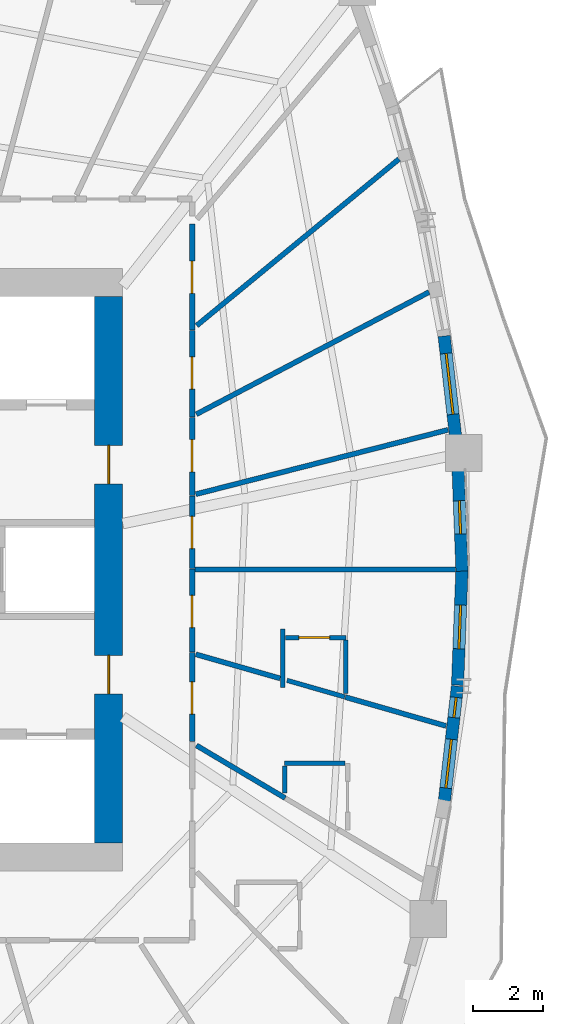
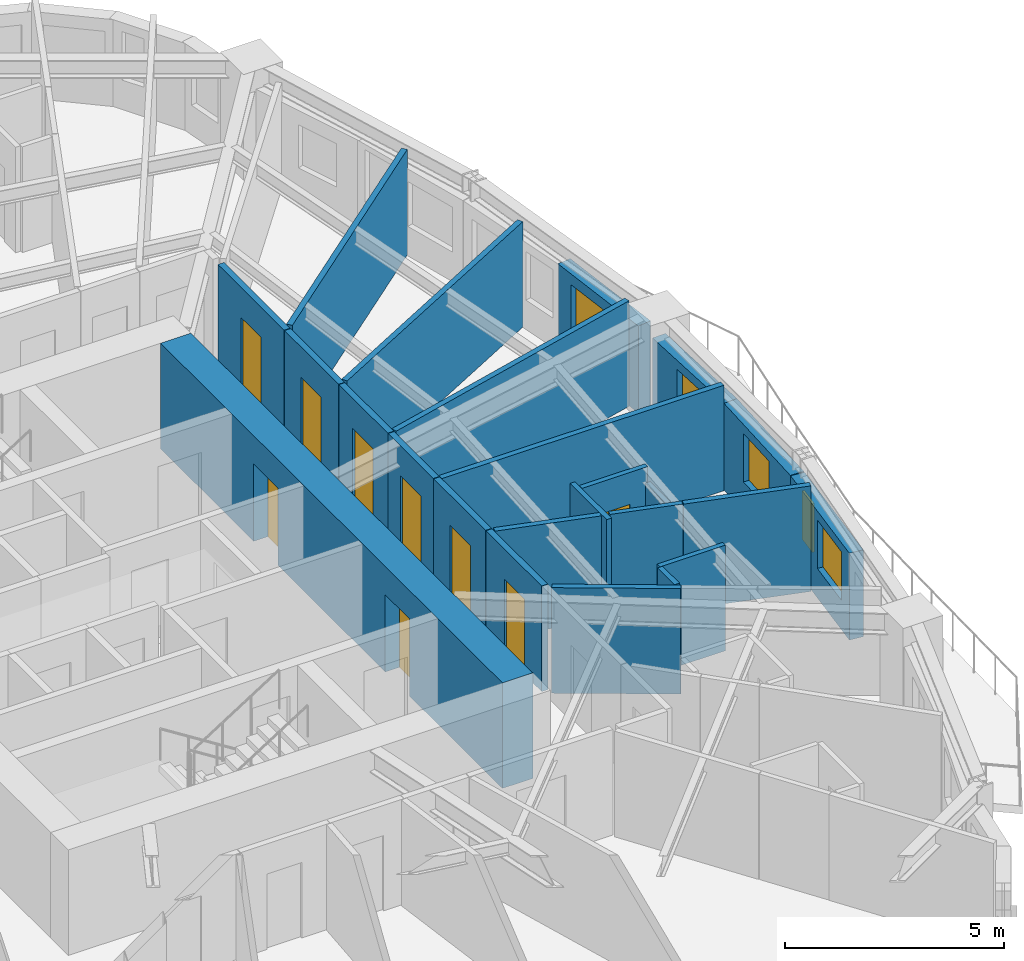
# One storey, part 7 of 14: 24 walls, 9 doors, 5 windows, 14 openings.
"""IFC4 building model written with IfcOpenShell, lengths in metres."""

from ifc_helpers import new_model, si_unit, direction, frame, frame_2d, origin, place, context, subcontext, project, spatial, rectangle, extrude, source, transform, mapped, material, layer, layer_set, type_object, element, fill, save


model = new_model("IFC4")

# Units and contexts
model_context = context("Model", 3, precision=1e-05, world=origin(), true_north=direction((0.0, 1.0)))
body_context = subcontext(model_context, "Body", "Model", "MODEL_VIEW")
ifc_project = project(units=[si_unit("LENGTHUNIT", "METRE"), si_unit("AREAUNIT", "SQUARE_METRE"), si_unit("VOLUMEUNIT", "CUBIC_METRE"), si_unit("PLANEANGLEUNIT", "RADIAN"), si_unit("MASSUNIT", "GRAM", prefix="KILO")], contexts=[model_context])

# Site, building, storey
site_placement = place(None, origin())
site = spatial("IfcSite", under=ifc_project, at=site_placement, CompositionType="ELEMENT")
building_placement = place(site_placement, origin())
building = spatial("IfcBuilding", under=site, at=building_placement, Name="Qafzar Sky-Pleat Residences", CompositionType="ELEMENT")
storey_placement = place(building_placement, frame((0.0, 0.0, 11.0)))
storey = spatial("IfcBuildingStorey", under=building, at=storey_placement, Name="L02", CompositionType="ELEMENT", Elevation=11.0)

# Wall, opening, door
ifc_material_1 = material(Name="Acoustic gypsum plasterboard partition", Category="gypsum")
ifc_layer_1 = layer(ifc_material_1, 0.159912109375)
ifc_layer_set_1 = layer_set([ifc_layer_1], Name="Acoustic gypsum plasterboard partition")
wall_type_1 = type_object("IfcWallType", Name="PART-COR-160", PredefinedType="PARTITIONING", material=ifc_layer_set_1)
wall_1_placement = place(storey_placement, frame((38.679931640625, 35.862060546875, 0.0), z_axis=(0.0, 0.0, 1.0), x_axis=(0.0, -1.0, 0.0)))
wall_1 = element("IfcWall", 1, at=wall_1_placement, inside=storey, type_object=wall_type_1, Name="L02 Partition Wall PART-L02-PW-007", PredefinedType="PARTITIONING", context=body_context, shape_type="SweptSolid", body=[
    extrude(rectangle(XDim=3.024169921875, YDim=0.159912109375, at=frame_2d((1.51220703125, 0.0))), origin(), (0.0, 0.0, 1.0), 2.93994140625),
])
opening_1_placement = place(wall_1_placement, frame((1.053466796875, 0.0, 0.0)))
opening_1 = element("IfcOpeningElement", 2, at=opening_1_placement, cuts=wall_1, Name="Opening ID-04", PredefinedType="OPENING", context=body_context, shape_type="SweptSolid", body=[
    extrude(rectangle(XDim=0.919921875, YDim=2.10009765625, at=frame_2d((0.4599609375, 1.050048828125))), frame((0.0, 0.08984375, 0.0), z_axis=(0.0, -1.0, 0.0), x_axis=(1.0, 0.0, 0.0)), (0.0, 0.0, 1.0), 0.179931640625),
])
ifc_material_2 = material(Name="Timber-faced fire door", Category="wood")
door_type_1 = type_object("IfcDoorType", Name="DR-BED-920", OperationType="NOTDEFINED", PredefinedType="DOOR", material=ifc_material_2)
shared_shape_1 = source(origin(), body_context, "Body", "SweptSolid", [
    extrude(rectangle(XDim=0.919921875, YDim=2.10009765625, at=frame_2d((0.4599609375, 1.050048828125))), frame((0.0, 0.02490234375, 0.0), z_axis=(0.0, -1.0, 0.0), x_axis=(1.0, 0.0, 0.0)), (0.0, 0.0, 1.0), 0.050048828125),
])
door_1_placement = place(opening_1_placement, origin())
door_1 = element("IfcDoor", 3, at=door_1_placement, inside=storey, type_object=door_type_1, Name="L02 Co-Living Bedroom 3 Door", OperationType="SINGLE_SWING_LEFT", OverallHeight=2.10009765625, OverallWidth=0.919921875, PredefinedType="DOOR", context=body_context, shape_type="MappedRepresentation", body=[
    mapped(shared_shape_1, transform((0.0, 0.0, 0.0), x_axis=(1.0, 0.0, 0.0), y_axis=(0.0, 1.0, 0.0), z_axis=(0.0, 0.0, 1.0), scale=1.0)),
])
fill(opening_1, door_1)

wall_2_placement = place(storey_placement, frame((38.679931640625, 23.6298828125, 0.0), z_axis=(0.0, 0.0, 1.0), x_axis=(0.0, -1.0, 0.0)))
wall_2 = element("IfcWall", 4, at=wall_2_placement, inside=storey, type_object=wall_type_1, Name="L02 Partition Wall PART-L02-PW-012", PredefinedType="PARTITIONING", context=body_context, shape_type="SweptSolid", body=[
    extrude(rectangle(XDim=2.5419921875, YDim=0.159912109375, at=frame_2d((1.27099609375, 0.0))), origin(), (0.0, 0.0, 1.0), 2.93994140625),
])
opening_2_placement = place(wall_2_placement, frame((0.83544921875, 0.0, 0.0)))
opening_2 = element("IfcOpeningElement", 5, at=opening_2_placement, cuts=wall_2, Name="Opening ID-04", PredefinedType="OPENING", context=body_context, shape_type="SweptSolid", body=[
    extrude(rectangle(XDim=0.919921875, YDim=2.10009765625, at=frame_2d((0.4599609375, 1.050048828125))), frame((0.0, 0.08984375, 0.0), z_axis=(0.0, -1.0, 0.0), x_axis=(1.0, 0.0, 0.0)), (0.0, 0.0, 1.0), 0.179931640625),
])
door_2_placement = place(opening_2_placement, origin())
door_2 = element("IfcDoor", 6, at=door_2_placement, inside=storey, type_object=door_type_1, Name="L02 Co-Living Bedroom 19 Door", OperationType="SINGLE_SWING_RIGHT", OverallHeight=2.10009765625, OverallWidth=0.919921875, PredefinedType="DOOR", context=body_context, shape_type="MappedRepresentation", body=[
    mapped(shared_shape_1, transform((0.0, 0.0, 0.0), x_axis=(1.0, 0.0, 0.0), y_axis=(0.0, 1.0, 0.0), z_axis=(0.0, 0.0, 1.0), scale=1.0)),
])
fill(opening_2, door_2)

wall_3_placement = place(storey_placement, frame((38.679931640625, 32.822998046875, 0.0), z_axis=(0.0, 0.0, 1.0), x_axis=(0.0, -1.0, 0.0)))
wall_3 = element("IfcWall", 7, at=wall_3_placement, inside=storey, type_object=wall_type_1, Name="L02 Partition Wall PART-L02-PW-013", PredefinedType="PARTITIONING", context=body_context, shape_type="SweptSolid", body=[
    extrude(rectangle(XDim=2.468017578125, YDim=0.159912109375, at=frame_2d((1.23388671875, 0.0))), origin(), (0.0, 0.0, 1.0), 2.93994140625),
])
opening_3_placement = place(wall_3_placement, frame((0.748046875, 0.0, 0.0)))
opening_3 = element("IfcOpeningElement", 8, at=opening_3_placement, cuts=wall_3, Name="Opening ID-04", PredefinedType="OPENING", context=body_context, shape_type="SweptSolid", body=[
    extrude(rectangle(XDim=0.919921875, YDim=2.10009765625, at=frame_2d((0.4599609375, 1.050048828125))), frame((0.0, 0.08984375, 0.0), z_axis=(0.0, -1.0, 0.0), x_axis=(1.0, 0.0, 0.0)), (0.0, 0.0, 1.0), 0.179931640625),
])
door_3_placement = place(opening_3_placement, origin())
door_3 = element("IfcDoor", 9, at=door_3_placement, inside=storey, type_object=door_type_1, Name="L02 Co-Living Bedroom 4 Door", OperationType="SINGLE_SWING_LEFT", OverallHeight=2.10009765625, OverallWidth=0.919921875, PredefinedType="DOOR", context=body_context, shape_type="MappedRepresentation", body=[
    mapped(shared_shape_1, transform((0.0, 0.0, 0.0), x_axis=(1.0, 0.0, 0.0), y_axis=(0.0, 1.0, 0.0), z_axis=(0.0, 0.0, 1.0), scale=1.0)),
])
fill(opening_3, door_3)

wall_4_placement = place(storey_placement, frame((38.679931640625, 26.014892578125, 0.0), z_axis=(0.0, 0.0, 1.0), x_axis=(0.0, -1.0, 0.0)))
wall_4 = element("IfcWall", 10, at=wall_4_placement, inside=storey, type_object=wall_type_1, Name="L02 Partition Wall PART-L02-PW-015", PredefinedType="PARTITIONING", context=body_context, shape_type="SweptSolid", body=[
    extrude(rectangle(XDim=2.369873046875, YDim=0.159912109375, at=frame_2d((1.18505859375, 0.0))), origin(), (0.0, 0.0, 1.0), 2.93994140625),
])
opening_4_placement = place(wall_4_placement, frame((0.748046875, 0.0, 0.0)))
opening_4 = element("IfcOpeningElement", 11, at=opening_4_placement, cuts=wall_4, Name="Opening ID-04", PredefinedType="OPENING", context=body_context, shape_type="SweptSolid", body=[
    extrude(rectangle(XDim=0.919921875, YDim=2.10009765625, at=frame_2d((0.4599609375, 1.050048828125))), frame((0.0, 0.08984375, 0.0), z_axis=(0.0, -1.0, 0.0), x_axis=(1.0, 0.0, 0.0)), (0.0, 0.0, 1.0), 0.179931640625),
])
door_4_placement = place(opening_4_placement, origin())
door_4 = element("IfcDoor", 12, at=door_4_placement, inside=storey, type_object=door_type_1, Name="L02 Co-Living Bedroom 20 Door", OperationType="SINGLE_SWING_LEFT", OverallHeight=2.10009765625, OverallWidth=0.919921875, PredefinedType="DOOR", context=body_context, shape_type="MappedRepresentation", body=[
    mapped(shared_shape_1, transform((0.0, 0.0, 0.0), x_axis=(1.0, 0.0, 0.0), y_axis=(0.0, 1.0, 0.0), z_axis=(0.0, 0.0, 1.0), scale=1.0)),
])
fill(opening_4, door_4)

wall_5_placement = place(storey_placement, frame((38.679931640625, 30.340087890625, 0.0), z_axis=(0.0, 0.0, 1.0), x_axis=(0.0, -1.0, 0.0)))
wall_5 = element("IfcWall", 13, at=wall_5_placement, inside=storey, type_object=wall_type_1, Name="L02 Partition Wall PART-L02-PW-019", PredefinedType="PARTITIONING", context=body_context, shape_type="SweptSolid", body=[
    extrude(rectangle(XDim=2.22998046875, YDim=0.159912109375, at=frame_2d((1.114990234375, 0.0))), origin(), (0.0, 0.0, 1.0), 2.93994140625),
])
opening_5_placement = place(wall_5_placement, frame((0.631591796875, 0.0, 0.0)))
opening_5 = element("IfcOpeningElement", 14, at=opening_5_placement, cuts=wall_5, Name="Opening ID-04", PredefinedType="OPENING", context=body_context, shape_type="SweptSolid", body=[
    extrude(rectangle(XDim=0.919921875, YDim=2.10009765625, at=frame_2d((0.4599609375, 1.050048828125))), frame((0.0, 0.08984375, 0.0), z_axis=(0.0, -1.0, 0.0), x_axis=(1.0, 0.0, 0.0)), (0.0, 0.0, 1.0), 0.179931640625),
])
door_5_placement = place(opening_5_placement, origin())
door_5 = element("IfcDoor", 15, at=door_5_placement, inside=storey, type_object=door_type_1, Name="L02 Co-Living Bedroom 1 Door", OperationType="SINGLE_SWING_RIGHT", OverallHeight=2.10009765625, OverallWidth=0.919921875, PredefinedType="DOOR", context=body_context, shape_type="MappedRepresentation", body=[
    mapped(shared_shape_1, transform((0.0, 0.0, 0.0), x_axis=(1.0, 0.0, 0.0), y_axis=(0.0, 1.0, 0.0), z_axis=(0.0, 0.0, 1.0), scale=1.0)),
])
fill(opening_5, door_5)

wall_6_placement = place(storey_placement, frame((38.679931640625, 28.094970703125, 0.0), z_axis=(0.0, 0.0, 1.0), x_axis=(0.0, -1.0, 0.0)))
wall_6 = element("IfcWall", 16, at=wall_6_placement, inside=storey, type_object=wall_type_1, Name="L02 Partition Wall PART-L02-PW-021", PredefinedType="PARTITIONING", context=body_context, shape_type="SweptSolid", body=[
    extrude(rectangle(XDim=2.06494140625, YDim=0.159912109375, at=frame_2d((1.032470703125, 0.0))), origin(), (0.0, 0.0, 1.0), 2.93994140625),
])
opening_6_placement = place(wall_6_placement, frame((0.572509765625, 0.0, 0.0)))
opening_6 = element("IfcOpeningElement", 17, at=opening_6_placement, cuts=wall_6, Name="Opening ID-04", PredefinedType="OPENING", context=body_context, shape_type="SweptSolid", body=[
    extrude(rectangle(XDim=0.919921875, YDim=2.10009765625, at=frame_2d((0.4599609375, 1.050048828125))), frame((0.0, 0.08984375, 0.0), z_axis=(0.0, -1.0, 0.0), x_axis=(1.0, 0.0, 0.0)), (0.0, 0.0, 1.0), 0.179931640625),
])
door_6_placement = place(opening_6_placement, origin())
door_6 = element("IfcDoor", 18, at=door_6_placement, inside=storey, type_object=door_type_1, Name="L02 Co-Living Bedroom 2 Door", OperationType="SINGLE_SWING_RIGHT", OverallHeight=2.10009765625, OverallWidth=0.919921875, PredefinedType="DOOR", context=body_context, shape_type="MappedRepresentation", body=[
    mapped(shared_shape_1, transform((0.0, 0.0, 0.0), x_axis=(1.0, 0.0, 0.0), y_axis=(0.0, 1.0, 0.0), z_axis=(0.0, 0.0, 1.0), scale=1.0)),
])
fill(opening_6, door_6)

# Walls
ifc_layer_2 = layer(ifc_material_1, 0.14501953125)
ifc_layer_set_2 = layer_set([ifc_layer_2], Name="Acoustic gypsum plasterboard partition")
wall_type_2 = type_object("IfcWallType", Name="PART-UNIT-145", PredefinedType="PARTITIONING", material=ifc_layer_set_2)
wall_7_placement = place(storey_placement, frame((38.812255859375, 32.966796875, 0.0), z_axis=(0.0, 0.0, 1.0), x_axis=(0.772048037558, 0.635564180633, 0.0)))
element("IfcWall", 19, at=wall_7_placement, inside=storey, type_object=wall_type_2, Name="L02 Partition Wall PART-L02-PW-048", PredefinedType="PARTITIONING", context=body_context, shape_type="SweptSolid", body=[
    extrude(rectangle(XDim=7.47705078125, YDim=0.14501953125, at=frame_2d((3.738525390625, 0.0))), origin(), (0.0, 0.0, 1.0), 2.93994140625),
])
wall_8_placement = place(storey_placement, frame((38.80078125, 30.435302734375, 0.0), z_axis=(0.0, 0.0, 1.0), x_axis=(0.885428701358, 0.46477523042, 0.0)))
element("IfcWall", 20, at=wall_8_placement, inside=storey, type_object=wall_type_2, Name="L02 Partition Wall PART-L02-PW-049", PredefinedType="PARTITIONING", context=body_context, shape_type="SweptSolid", body=[
    extrude(rectangle(XDim=7.503173828125, YDim=0.14501953125, at=frame_2d((3.75146484375, 0.0))), origin(), (0.0, 0.0, 1.0), 2.93994140625),
])
wall_9_placement = place(storey_placement, frame((38.78564453125, 28.152099609375, 0.0), z_axis=(0.0, 0.0, 1.0), x_axis=(0.968940490632, 0.247294006424, 0.0)))
element("IfcWall", 21, at=wall_9_placement, inside=storey, type_object=wall_type_2, Name="L02 Partition Wall PART-L02-PW-050", PredefinedType="PARTITIONING", context=body_context, shape_type="SweptSolid", body=[
    extrude(rectangle(XDim=7.431884765625, YDim=0.14501953125, at=frame_2d((3.7158203125, 0.0))), origin(), (0.0, 0.0, 1.0), 2.93994140625),
])
wall_10_placement = place(storey_placement, frame((38.76806640625, 26.0, 0.0), z_axis=(0.0, 0.0, 1.0), x_axis=(1.0, 0.0, 0.0)))
element("IfcWall", 22, at=wall_10_placement, inside=storey, type_object=wall_type_2, Name="L02 Partition Wall PART-L02-PW-051", PredefinedType="PARTITIONING", context=body_context, shape_type="SweptSolid", body=[
    extrude(rectangle(XDim=7.43017578125, YDim=0.14501953125, at=frame_2d((3.715087890625, 0.0))), origin(), (0.0, 0.0, 1.0), 2.93994140625),
])
wall_11_placement = place(storey_placement, frame((38.803955078125, 20.9814453125, 0.0), z_axis=(0.0, 0.0, 1.0), x_axis=(0.859905944731, -0.510452511225, 0.0)))
element("IfcWall", 23, at=wall_11_placement, inside=storey, type_object=wall_type_2, Name="L02 Partition Wall PART-L02-PW-067", PredefinedType="PARTITIONING", context=body_context, shape_type="SweptSolid", body=[
    extrude(rectangle(XDim=2.943359375, YDim=0.14501953125, at=frame_2d((1.4716796875, 0.0))), origin(), (0.0, 0.0, 1.0), 2.93994140625),
])
wall_12_placement = place(storey_placement, frame((43.054931640625, 22.361083984375, 0.0), z_axis=(0.0, 0.0, 1.0), x_axis=(0.961351316588, -0.275324619486, 0.0)))
element("IfcWall", 24, at=wall_12_placement, inside=storey, type_object=wall_type_2, Name="L02 Partition Wall PART-L02-PW-068", PredefinedType="PARTITIONING", context=body_context, shape_type="SweptSolid", body=[
    extrude(rectangle(XDim=2.991943359375, YDim=0.14501953125, at=frame_2d((1.49609375, 0.0))), origin(), (0.0, 0.0, 1.0), 2.93994140625),
])
wall_13_placement = place(storey_placement, frame((38.78759765625, 23.583251953125, 0.0), z_axis=(0.0, 0.0, 1.0), x_axis=(0.961350656565, -0.275326924078, 0.0)))
element("IfcWall", 25, at=wall_13_placement, inside=storey, type_object=wall_type_2, Name="L02 Partition Wall PART-L02-PW-073", PredefinedType="PARTITIONING", context=body_context, shape_type="SweptSolid", body=[
    extrude(rectangle(XDim=2.50146484375, YDim=0.14501953125, at=frame_2d((1.250732421875, 0.0))), origin(), (0.0, 0.0, 1.0), 2.93994140625),
])

# Wall, opening, door
ifc_material_3 = material(Name="Moisture-resistant gypsum partition", Category="gypsum")
ifc_layer_3 = layer(ifc_material_3, 0.1298828125)
ifc_layer_set_3 = layer_set([ifc_layer_3], Name="Moisture-resistant gypsum partition")
wall_type_3 = type_object("IfcWallType", Name="PART-WET-130", PredefinedType="PARTITIONING", material=ifc_layer_set_3)
wall_14_placement = place(storey_placement, frame((43.070068359375, 24.06005859375, 0.0), z_axis=(0.0, 0.0, 1.0), x_axis=(-1.0, 0.0, 0.0)))
wall_14 = element("IfcWall", 26, at=wall_14_placement, inside=storey, type_object=wall_type_3, Name="L02 Partition Wall PART-L02-PW-035", PredefinedType="PARTITIONING", context=body_context, shape_type="SweptSolid", body=[
    extrude(rectangle(XDim=1.72705078125, YDim=0.1298828125, at=frame_2d((0.863525390625, 0.0))), origin(), (0.0, 0.0, 1.0), 2.93994140625),
])
opening_7_placement = place(wall_14_placement, frame((0.4599609375, 0.0, 0.0)))
opening_7 = element("IfcOpeningElement", 27, at=opening_7_placement, cuts=wall_14, Name="Opening ID-07", PredefinedType="OPENING", context=body_context, shape_type="SweptSolid", body=[
    extrude(rectangle(XDim=0.8798828125, YDim=2.050048828125, at=frame_2d((0.43994140625, 1.02490234375))), frame((0.0, 0.074951171875, 0.0), z_axis=(0.0, -1.0, 0.0), x_axis=(1.0, 0.0, 0.0)), (0.0, 0.0, 1.0), 0.14990234375),
])
door_type_2 = type_object("IfcDoorType", Name="DR-WET-880", OperationType="NOTDEFINED", PredefinedType="DOOR", material=ifc_material_2)
shared_shape_2 = source(origin(), body_context, "Body", "SweptSolid", [
    extrude(rectangle(XDim=0.8798828125, YDim=2.050048828125, at=frame_2d((0.43994140625, 1.02490234375))), frame((0.0, 0.02490234375, 0.0), z_axis=(0.0, -1.0, 0.0), x_axis=(1.0, 0.0, 0.0)), (0.0, 0.0, 1.0), 0.050048828125),
])
door_7_placement = place(opening_7_placement, origin())
door_7 = element("IfcDoor", 28, at=door_7_placement, inside=storey, type_object=door_type_2, Name="L02 En-suite Bathroom 20 Door", OperationType="SINGLE_SWING_RIGHT", OverallHeight=2.050048828125, OverallWidth=0.8798828125, PredefinedType="DOOR", context=body_context, shape_type="MappedRepresentation", body=[
    mapped(shared_shape_2, transform((0.0, 0.0, 0.0), x_axis=(1.0, 0.0, 0.0), y_axis=(0.0, 1.0, 0.0), z_axis=(0.0, 0.0, 1.0), scale=1.0)),
])
fill(opening_7, door_7)

# Walls
wall_15_placement = place(storey_placement, frame((41.39013671875, 22.83837890625, 0.0), z_axis=(0.0, 0.0, 1.0), x_axis=(0.961362810051, -0.275284484582, 0.0)))
element("IfcWall", 29, at=wall_15_placement, inside=storey, type_object=wall_type_3, Name="L02 Partition Wall PART-L02-PW-079", PredefinedType="PARTITIONING", context=body_context, shape_type="SweptSolid", body=[
    extrude(rectangle(XDim=1.717041015625, YDim=0.1298828125, at=frame_2d((0.8583984375, 0.0))), origin(), (0.0, 0.0, 1.0), 2.93994140625),
])
wall_16_placement = place(storey_placement, frame((41.320068359375, 20.466064453125, 0.0), z_axis=(0.0, 0.0, 1.0), x_axis=(1.0, 0.0, 0.0)))
element("IfcWall", 30, at=wall_16_placement, inside=storey, type_object=wall_type_3, Name="L02 Partition Wall PART-L02-PW-090", PredefinedType="PARTITIONING", context=body_context, shape_type="SweptSolid", body=[
    extrude(rectangle(XDim=1.72705078125, YDim=0.1298828125, at=frame_2d((0.863525390625, 0.0))), origin(), (0.0, 0.0, 1.0), 2.93994140625),
])
wall_17_placement = place(storey_placement, frame((43.070068359375, 22.458984375, 0.0), z_axis=(0.0, 0.0, 1.0), x_axis=(0.0, 1.0, 0.0)))
element("IfcWall", 31, at=wall_17_placement, inside=storey, type_object=wall_type_3, Name="L02 Partition Wall PART-L02-PW-094", PredefinedType="PARTITIONING", context=body_context, shape_type="SweptSolid", body=[
    extrude(rectangle(XDim=1.528076171875, YDim=0.1298828125, at=frame_2d((0.76416015625, 0.0))), origin(), (0.0, 0.0, 1.0), 2.508056640625),
])
wall_18_placement = place(storey_placement, frame((41.27001953125, 22.633056640625, 0.0), z_axis=(0.0, 0.0, 1.0), x_axis=(0.0, 1.0, 0.0)))
element("IfcWall", 32, at=wall_18_placement, inside=storey, type_object=wall_type_3, Name="L02 Partition Wall PART-L02-PW-102", PredefinedType="PARTITIONING", context=body_context, shape_type="SweptSolid", body=[
    extrude(rectangle(XDim=1.6669921875, YDim=0.1298828125, at=frame_2d((0.83349609375, 0.0))), origin(), (0.0, 0.0, 1.0), 2.93994140625),
])
wall_19_placement = place(storey_placement, frame((41.320068359375, 19.618896484375, 0.0), z_axis=(0.0, 0.0, 1.0), x_axis=(0.0, 1.0, 0.0)))
element("IfcWall", 33, at=wall_19_placement, inside=storey, type_object=wall_type_3, Name="L02 Partition Wall PART-L02-PW-108", PredefinedType="PARTITIONING", context=body_context, shape_type="SweptSolid", body=[
    extrude(rectangle(XDim=0.774169921875, YDim=0.1298828125, at=frame_2d((0.38720703125, 0.0))), origin(), (0.0, 0.0, 1.0), 2.93994140625),
])

# Wall, openings, windows
ifc_material_4 = material(Name="Precast concrete C40/50 with honed Riyadh limestone", Category="concrete")
ifc_layer_4 = layer(ifc_material_4, 0.35009765625)
ifc_layer_set_4 = layer_set([ifc_layer_4], Name="Precast concrete C40/50 with honed Riyadh limestone")
wall_type_4 = type_object("IfcWallType", Name="WALL-EXT-350", PredefinedType="SOLIDWALL", material=ifc_layer_set_4)
wall_20_placement = place(storey_placement, frame((45.87548828125, 19.3310546875, 0.0), z_axis=(0.0, 0.0, 1.0), x_axis=(0.113329685842, 0.99355743785, 0.0)))
wall_20 = element("IfcWall", 34, at=wall_20_placement, inside=storey, type_object=wall_type_4, Name="L02 Limestone Facade Wall 26", PredefinedType="SOLIDWALL", context=body_context, shape_type="SweptSolid", body=[
    extrude(rectangle(XDim=3.364990234375, YDim=0.35009765625, at=frame_2d((1.6826171875, 0.0))), origin(), (0.0, 0.0, 1.0), 2.419921875),
])
opening_8_placement = place(wall_20_placement, frame((0.436767578125, 0.0, 0.820068359375)))
opening_8 = element("IfcOpeningElement", 35, at=opening_8_placement, cuts=wall_20, Name="Opening WN-10", PredefinedType="OPENING", context=body_context, shape_type="SweptSolid", body=[
    extrude(rectangle(XDim=1.39990234375, YDim=1.35009765625, at=frame_2d((0.699951171875, 0.675048828125))), frame((0.0, 0.18505859375, 0.0), z_axis=(0.0, -1.0, 0.0), x_axis=(1.0, 0.0, 0.0)), (0.0, 0.0, 1.0), 0.3701171875),
])
opening_9_placement = place(wall_20_placement, frame((2.45947265625, 0.0, 0.820068359375)))
opening_9 = element("IfcOpeningElement", 36, at=opening_9_placement, cuts=wall_20, Name="Opening WN-17", PredefinedType="OPENING", context=body_context, shape_type="SweptSolid", body=[
    extrude(rectangle(XDim=0.580078125, YDim=1.35009765625, at=frame_2d((0.2900390625, 0.675048828125))), frame((0.0, 0.18505859375, 0.0), z_axis=(0.0, -1.0, 0.0), x_axis=(1.0, 0.0, 0.0)), (0.0, 0.0, 1.0), 0.3701171875),
])
ifc_material_5 = material(Name="Solar-control low-E glass in bronze aluminium frame", Category="glass")
window_type_1 = type_object("IfcWindowType", Name="WIN-17", PartitioningType="SINGLE_PANEL", PredefinedType="WINDOW", material=ifc_material_5)
shared_shape_3 = source(origin(), body_context, "Body", "SweptSolid", [
    extrude(rectangle(XDim=0.580078125, YDim=1.35009765625, at=frame_2d((0.2900390625, 0.675048828125))), frame((0.0, 0.030029296875, 0.0), z_axis=(0.0, -1.0, 0.0), x_axis=(1.0, 0.0, 0.0)), (0.0, 0.0, 1.0), 0.06005859375),
])
window_1_placement = place(opening_9_placement, origin())
window_1 = element("IfcWindow", 37, at=window_1_placement, inside=storey, type_object=window_type_1, Name="L02 Punched Facade Window 26-2", OverallHeight=1.35009765625, OverallWidth=0.580078125, PartitioningType="SINGLE_PANEL", PredefinedType="WINDOW", context=body_context, shape_type="MappedRepresentation", body=[
    mapped(shared_shape_3, transform((0.0, 0.0, 0.0), x_axis=(1.0, 0.0, 0.0), y_axis=(0.0, 1.0, 0.0), z_axis=(0.0, 0.0, 1.0), scale=1.0)),
])
fill(opening_9, window_1)
window_type_2 = type_object("IfcWindowType", Name="WIN-10", PartitioningType="SINGLE_PANEL", PredefinedType="WINDOW", material=ifc_material_5)
shared_shape_4 = source(origin(), body_context, "Body", "SweptSolid", [
    extrude(rectangle(XDim=1.39990234375, YDim=1.35009765625, at=frame_2d((0.699951171875, 0.675048828125))), frame((0.0, 0.030029296875, 0.0), z_axis=(0.0, -1.0, 0.0), x_axis=(1.0, 0.0, 0.0)), (0.0, 0.0, 1.0), 0.06005859375),
])
window_2_placement = place(opening_8_placement, origin())
window_2 = element("IfcWindow", 38, at=window_2_placement, inside=storey, type_object=window_type_2, Name="L02 Punched Facade Window 26", OverallHeight=1.35009765625, OverallWidth=1.39990234375, PartitioningType="SINGLE_PANEL", PredefinedType="WINDOW", context=body_context, shape_type="MappedRepresentation", body=[
    mapped(shared_shape_4, transform((0.0, 0.0, 0.0), x_axis=(1.0, 0.0, 0.0), y_axis=(0.0, 1.0, 0.0), z_axis=(0.0, 0.0, 1.0), scale=1.0)),
])
fill(opening_8, window_2)

# Wall, opening, window
wall_21_placement = place(storey_placement, frame((46.2587890625, 22.701171875, 0.0), z_axis=(0.0, 0.0, 1.0), x_axis=(0.038015581842, 0.99927714651, 0.0)))
wall_21 = element("IfcWall", 39, at=wall_21_placement, inside=storey, type_object=wall_type_4, Name="L02 Limestone Facade Wall 27", PredefinedType="SOLIDWALL", context=body_context, shape_type="SweptSolid", body=[
    extrude(rectangle(XDim=3.345947265625, YDim=0.35009765625, at=frame_2d((1.6728515625, 0.0))), origin(), (0.0, 0.0, 1.0), 2.419921875),
])
opening_10_placement = place(wall_21_placement, frame((1.0380859375, 0.0, 0.820068359375)))
opening_10 = element("IfcOpeningElement", 40, at=opening_10_placement, cuts=wall_21, Name="Opening WN-11", PredefinedType="OPENING", context=body_context, shape_type="SweptSolid", body=[
    extrude(rectangle(XDim=1.25, YDim=1.35009765625, at=frame_2d((0.625, 0.675048828125))), frame((0.0, 0.18505859375, 0.0), z_axis=(0.0, -1.0, 0.0), x_axis=(1.0, 0.0, 0.0)), (0.0, 0.0, 1.0), 0.3701171875),
])
window_type_3 = type_object("IfcWindowType", Name="WIN-11", PartitioningType="SINGLE_PANEL", PredefinedType="WINDOW", material=ifc_material_5)
shared_shape_5 = source(origin(), body_context, "Body", "SweptSolid", [
    extrude(rectangle(XDim=1.25, YDim=1.35009765625, at=frame_2d((0.625, 0.675048828125))), frame((0.0, 0.030029296875, 0.0), z_axis=(0.0, -1.0, 0.0), x_axis=(1.0, 0.0, 0.0)), (0.0, 0.0, 1.0), 0.06005859375),
])
window_3_placement = place(opening_10_placement, origin())
window_3 = element("IfcWindow", 41, at=window_3_placement, inside=storey, type_object=window_type_3, Name="L02 Punched Facade Window 27", OverallHeight=1.35009765625, OverallWidth=1.25, PartitioningType="SINGLE_PANEL", PredefinedType="WINDOW", context=body_context, shape_type="MappedRepresentation", body=[
    mapped(shared_shape_5, transform((0.0, 0.0, 0.0), x_axis=(1.0, 0.0, 0.0), y_axis=(0.0, 1.0, 0.0), z_axis=(0.0, 0.0, 1.0), scale=1.0)),
])
fill(opening_10, window_3)

wall_22_placement = place(storey_placement, frame((46.385986328125, 25.955322265625, 0.0), z_axis=(0.0, 0.0, 1.0), x_axis=(-0.038063081658, 0.99927533834, 0.0)))
wall_22 = element("IfcWall", 42, at=wall_22_placement, inside=storey, type_object=wall_type_4, Name="L02 Limestone Facade Wall 28", PredefinedType="SOLIDWALL", context=body_context, shape_type="SweptSolid", body=[
    extrude(rectangle(XDim=3.06591796875, YDim=0.35009765625, at=frame_2d((1.532958984375, 0.0))), origin(), (0.0, 0.0, 1.0), 2.419921875),
])
opening_11_placement = place(wall_22_placement, frame((1.06298828125, 0.0, 0.820068359375)))
opening_11 = element("IfcOpeningElement", 43, at=opening_11_placement, cuts=wall_22, Name="Opening WN-12", PredefinedType="OPENING", context=body_context, shape_type="SweptSolid", body=[
    extrude(rectangle(XDim=0.949951171875, YDim=1.35009765625, at=frame_2d((0.47509765625, 0.675048828125))), frame((0.0, 0.18505859375, 0.0), z_axis=(0.0, -1.0, 0.0), x_axis=(1.0, 0.0, 0.0)), (0.0, 0.0, 1.0), 0.3701171875),
])
window_type_4 = type_object("IfcWindowType", Name="WIN-12", PartitioningType="SINGLE_PANEL", PredefinedType="WINDOW", material=ifc_material_5)
shared_shape_6 = source(origin(), body_context, "Body", "SweptSolid", [
    extrude(rectangle(XDim=0.949951171875, YDim=1.35009765625, at=frame_2d((0.47509765625, 0.675048828125))), frame((0.0, 0.030029296875, 0.0), z_axis=(0.0, -1.0, 0.0), x_axis=(1.0, 0.0, 0.0)), (0.0, 0.0, 1.0), 0.06005859375),
])
window_4_placement = place(opening_11_placement, origin())
window_4 = element("IfcWindow", 44, at=window_4_placement, inside=storey, type_object=window_type_4, Name="L02 Punched Facade Window 28", OverallHeight=1.35009765625, OverallWidth=0.949951171875, PartitioningType="SINGLE_PANEL", PredefinedType="WINDOW", context=body_context, shape_type="MappedRepresentation", body=[
    mapped(shared_shape_6, transform((0.0, 0.0, 0.0), x_axis=(1.0, 0.0, 0.0), y_axis=(0.0, 1.0, 0.0), z_axis=(0.0, 0.0, 1.0), scale=1.0)),
])
fill(opening_11, window_4)

wall_23_placement = place(storey_placement, frame((46.22509765625, 29.603759765625, 0.0), z_axis=(0.0, 0.0, 1.0), x_axis=(-0.113323399269, 0.993558154905, 0.0)))
wall_23 = element("IfcWall", 45, at=wall_23_placement, inside=storey, type_object=wall_type_4, Name="L02 Limestone Facade Wall 29", PredefinedType="SOLIDWALL", context=body_context, shape_type="SweptSolid", body=[
    extrude(rectangle(XDim=3.0849609375, YDim=0.35009765625, at=frame_2d((1.54248046875, 0.0))), origin(), (0.0, 0.0, 1.0), 2.419921875),
])
opening_12_placement = place(wall_23_placement, frame((0.8349609375, 0.0, 0.820068359375)))
opening_12 = element("IfcOpeningElement", 46, at=opening_12_placement, cuts=wall_23, Name="Opening WN-14", PredefinedType="OPENING", context=body_context, shape_type="SweptSolid", body=[
    extrude(rectangle(XDim=1.75, YDim=1.300048828125, at=frame_2d((0.875, 0.64990234375))), frame((0.0, 0.18505859375, 0.0), z_axis=(0.0, -1.0, 0.0), x_axis=(1.0, 0.0, 0.0)), (0.0, 0.0, 1.0), 0.3701171875),
])
window_type_5 = type_object("IfcWindowType", Name="WIN-14", PartitioningType="DOUBLE_PANEL_VERTICAL", PredefinedType="WINDOW", material=ifc_material_5)
shared_shape_7 = source(origin(), body_context, "Body", "SweptSolid", [
    extrude(rectangle(XDim=1.75, YDim=1.300048828125, at=frame_2d((0.875, 0.64990234375))), frame((0.0, 0.030029296875, 0.0), z_axis=(0.0, -1.0, 0.0), x_axis=(1.0, 0.0, 0.0)), (0.0, 0.0, 1.0), 0.06005859375),
])
window_5_placement = place(opening_12_placement, origin())
window_5 = element("IfcWindow", 47, at=window_5_placement, inside=storey, type_object=window_type_5, Name="L02 Punched Facade Window 29-2", OverallHeight=1.300048828125, OverallWidth=1.75, PartitioningType="SINGLE_PANEL", PredefinedType="WINDOW", context=body_context, shape_type="MappedRepresentation", body=[
    mapped(shared_shape_7, transform((0.0, 0.0, 0.0), x_axis=(1.0, 0.0, 0.0), y_axis=(0.0, 1.0, 0.0), z_axis=(0.0, 0.0, 1.0), scale=1.0)),
])
fill(opening_12, window_5)

# Wall, openings, doors
ifc_material_6 = material(Name="Concrete C60/75", Category="concrete")
ifc_layer_5 = layer(ifc_material_6, 0.800048828125)
ifc_layer_set_5 = layer_set([ifc_layer_5], Name="Concrete C60/75")
wall_type_5 = type_object("IfcWallType", Name="WALL-SHEAR-800", PredefinedType="SHEAR", material=ifc_layer_set_5)
wall_24_placement = place(storey_placement, frame((36.300048828125, 18.199951171875, 0.0), z_axis=(0.0, 0.0, 1.0), x_axis=(0.0, 1.0, 0.0)))
wall_24 = element("IfcWall", 48, at=wall_24_placement, inside=storey, type_object=wall_type_5, Name="L02 CORE wall E", PredefinedType="SHEAR", context=body_context, shape_type="SweptSolid", body=[
    extrude(rectangle(XDim=15.60009765625, YDim=0.800048828125, at=frame_2d((7.800048828125, 0.0))), origin(), (0.0, 0.0, 1.0), 2.93994140625),
])
opening_13_placement = place(wall_24_placement, frame((4.25, 0.0, 0.0)))
opening_13 = element("IfcOpeningElement", 49, at=opening_13_placement, cuts=wall_24, Name="Opening ID-02", PredefinedType="OPENING", context=body_context, shape_type="SweptSolid", body=[
    extrude(rectangle(XDim=1.10009765625, YDim=2.14990234375, at=frame_2d((0.550048828125, 1.074951171875))), frame((0.0, 0.41015625, 0.0), z_axis=(0.0, -1.0, 0.0), x_axis=(1.0, 0.0, 0.0)), (0.0, 0.0, 1.0), 0.820068359375),
])
opening_14_placement = place(wall_24_placement, frame((10.25, 0.0, 0.0)))
opening_14 = element("IfcOpeningElement", 50, at=opening_14_placement, cuts=wall_24, Name="Opening ID-02", PredefinedType="OPENING", context=body_context, shape_type="SweptSolid", body=[
    extrude(rectangle(XDim=1.10009765625, YDim=2.14990234375, at=frame_2d((0.550048828125, 1.074951171875))), frame((0.0, 0.41015625, 0.0), z_axis=(0.0, -1.0, 0.0), x_axis=(1.0, 0.0, 0.0)), (0.0, 0.0, 1.0), 0.820068359375),
])
door_type_3 = type_object("IfcDoorType", Name="DR-FFL-1100", OperationType="NOTDEFINED", PredefinedType="DOOR", material=ifc_material_2)
shared_shape_8 = source(origin(), body_context, "Body", "SweptSolid", [
    extrude(rectangle(XDim=1.10009765625, YDim=2.14990234375, at=frame_2d((0.550048828125, 1.074951171875))), frame((0.0, 0.02490234375, 0.0), z_axis=(0.0, -1.0, 0.0), x_axis=(1.0, 0.0, 0.0)), (0.0, 0.0, 1.0), 0.050048828125),
])
door_8_placement = place(opening_13_placement, origin())
door_8 = element("IfcDoor", 51, at=door_8_placement, inside=storey, type_object=door_type_3, Name="L02 Firefighting Lobby South Corridor Door", OperationType="SINGLE_SWING_RIGHT", OverallHeight=2.14990234375, OverallWidth=1.10009765625, PredefinedType="DOOR", context=body_context, shape_type="MappedRepresentation", body=[
    mapped(shared_shape_8, transform((0.0, 0.0, 0.0), x_axis=(1.0, 0.0, 0.0), y_axis=(0.0, 1.0, 0.0), z_axis=(0.0, 0.0, 1.0), scale=1.0)),
])
fill(opening_13, door_8)
door_9_placement = place(opening_14_placement, origin())
door_9 = element("IfcDoor", 52, at=door_9_placement, inside=storey, type_object=door_type_3, Name="L02 Firefighting Lobby North Corridor Door", OperationType="SINGLE_SWING_LEFT", OverallHeight=2.14990234375, OverallWidth=1.10009765625, PredefinedType="DOOR", context=body_context, shape_type="MappedRepresentation", body=[
    mapped(shared_shape_8, transform((0.0, 0.0, 0.0), x_axis=(1.0, 0.0, 0.0), y_axis=(0.0, 1.0, 0.0), z_axis=(0.0, 0.0, 1.0), scale=1.0)),
])
fill(opening_14, door_9)

save(model, "model.ifc")
